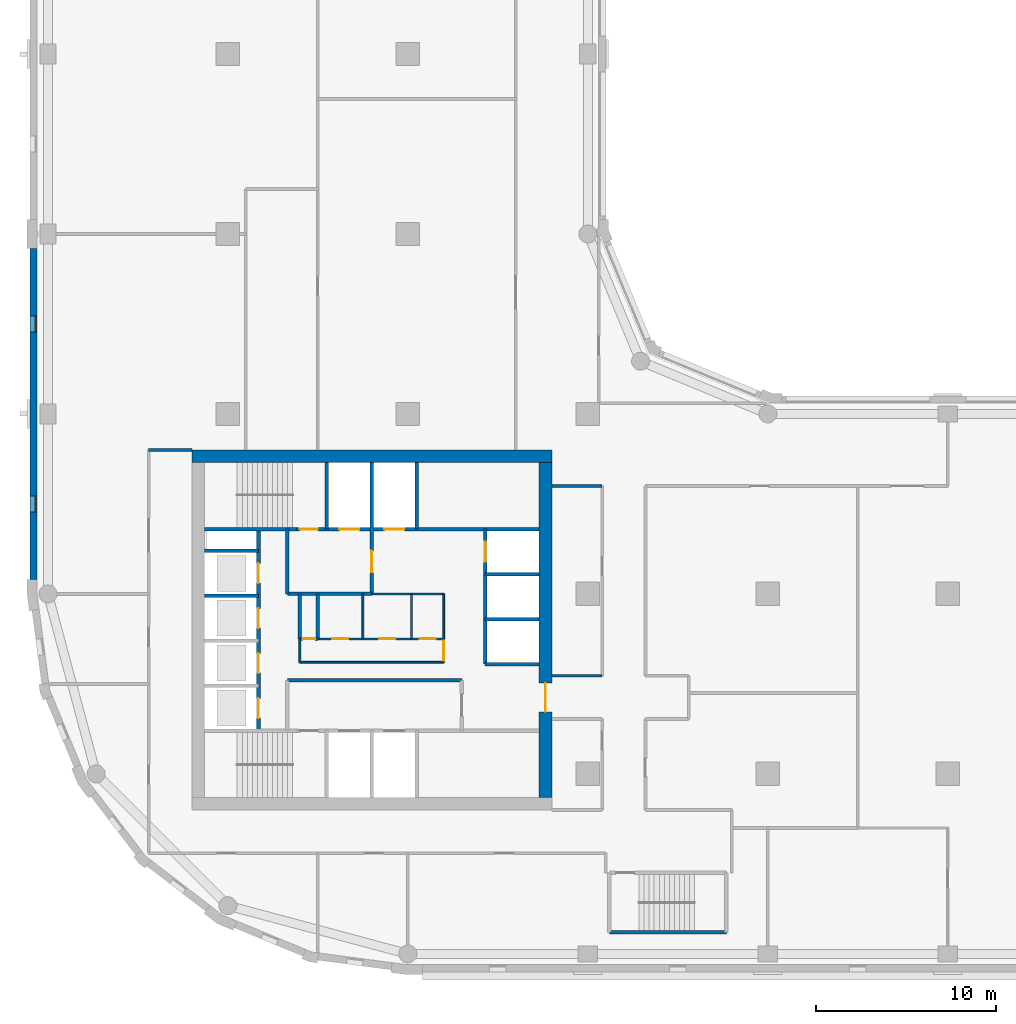
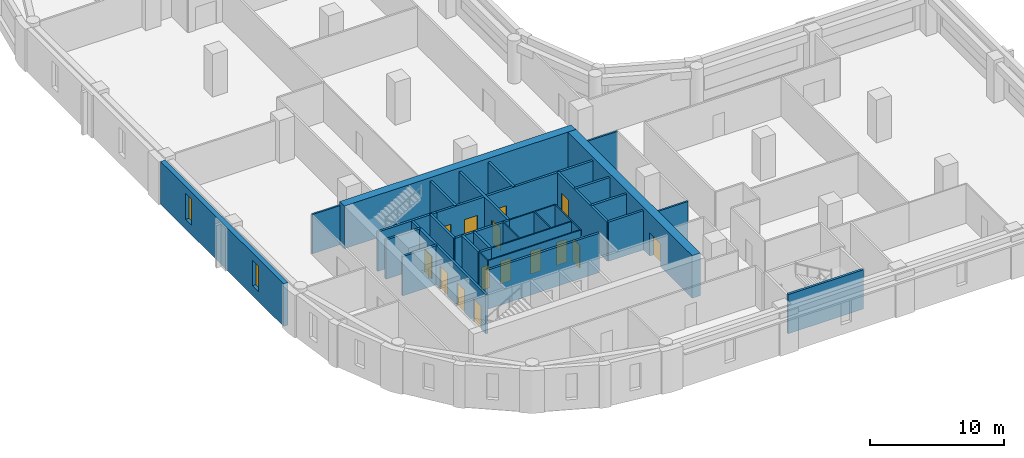
# One storey, part 3 of 9: 32 walls, 15 doors, 2 windows, 17 openings.
"""IFC4 building model written with IfcOpenShell, lengths in metres."""

from ifc_helpers import new_model, si_unit, direction, frame, frame_2d, origin, place, context, subcontext, project, spatial, rectangle, extrude, material, layer, layer_set, type_object, element, fill, save


model = new_model("IFC4")

# Units and contexts
model_context = context("Model", 3, precision=1e-05, world=origin(), true_north=direction((0.0, 1.0)))
body_context = subcontext(model_context, "Body", "Model", "MODEL_VIEW")
ifc_project = project(units=[si_unit("LENGTHUNIT", "METRE"), si_unit("AREAUNIT", "SQUARE_METRE"), si_unit("VOLUMEUNIT", "CUBIC_METRE"), si_unit("PLANEANGLEUNIT", "RADIAN"), si_unit("MASSUNIT", "GRAM", prefix="KILO")], contexts=[model_context])

# Site, building, storey
site_placement = place(None, origin())
site = spatial("IfcSite", under=ifc_project, at=site_placement, CompositionType="ELEMENT")
building_placement = place(site_placement, origin())
building = spatial("IfcBuilding", under=site, at=building_placement, Name="Qaws Garden Tower", CompositionType="ELEMENT")
storey_placement = place(building_placement, frame((0.0, 0.0, 135.60009765625)))
storey = spatial("IfcBuildingStorey", under=building, at=storey_placement, Name="L32", CompositionType="ELEMENT", Elevation=135.60009765625)

# Wall, openings, windows
ifc_material_1 = material(Name="Clay facing brick masonry", Category="masonry")
ifc_layer_1 = layer(ifc_material_1, 0.39990234375)
ifc_layer_set_1 = layer_set([ifc_layer_1], Name="Clay facing brick masonry")
wall_type_1 = type_object("IfcWallType", Name="Brick infill wall 400", PredefinedType="SOLIDWALL", material=ifc_layer_set_1)
wall_1_placement = place(storey_placement, frame((-0.800048828125, 39.199951171875, 0.0), z_axis=(0.0, 0.0, 1.0), x_axis=(0.0, -1.0, 0.0)))
wall_1 = element("IfcWall", 1, at=wall_1_placement, inside=storey, type_object=wall_type_1, Name="E-L32-infill-23", PredefinedType="SOLIDWALL", context=body_context, shape_type="SweptSolid", body=[
    extrude(rectangle(XDim=18.39990234375, YDim=0.39990234375, at=frame_2d((9.199951171875, 0.0))), origin(), (0.0, 0.0, 1.0), 3.89990234375),
])
opening_1_placement = place(wall_1_placement, frame((3.75, 0.0, 0.89990234375)))
opening_1 = element("IfcOpeningElement", 2, at=opening_1_placement, cuts=wall_1, Name="Opening W09", PredefinedType="OPENING", context=body_context, shape_type="SweptSolid", body=[
    extrude(rectangle(XDim=0.89990234375, YDim=2.35009765625, at=frame_2d((0.449951171875, 1.175048828125))), frame((0.0, 0.2099609375, 0.0), z_axis=(0.0, -1.0, 0.0), x_axis=(1.0, 0.0, 0.0)), (0.0, 0.0, 1.0), 0.419921875),
])
opening_2_placement = place(wall_1_placement, frame((13.75, 0.0, 0.89990234375)))
opening_2 = element("IfcOpeningElement", 3, at=opening_2_placement, cuts=wall_1, Name="Opening W09", PredefinedType="OPENING", context=body_context, shape_type="SweptSolid", body=[
    extrude(rectangle(XDim=0.89990234375, YDim=2.35009765625, at=frame_2d((0.449951171875, 1.175048828125))), frame((0.0, 0.2099609375, 0.0), z_axis=(0.0, -1.0, 0.0), x_axis=(1.0, 0.0, 0.0)), (0.0, 0.0, 1.0), 0.419921875),
])
ifc_material_2 = material(Name="Aluminium framed window, clear glazing", Category="aluminium")
window_type = type_object("IfcWindowType", Name="Slit window 900 x 2350", PartitioningType="SINGLE_PANEL", PredefinedType="WINDOW", material=ifc_material_2)
window_1_placement = place(opening_1_placement, origin())
window_1 = element("IfcWindow", 4, at=window_1_placement, inside=storey, type_object=window_type, Name="E-L32-window-23-0", OverallHeight=2.35009765625, OverallWidth=0.89990234375, PartitioningType="SINGLE_PANEL", PredefinedType="WINDOW", context=body_context, shape_type="SweptSolid", body=[
    extrude(rectangle(XDim=0.89990234375, YDim=2.35009765625, at=frame_2d((0.449951171875, 1.175048828125))), frame((0.0, 0.159912109375, 0.0), z_axis=(0.0, -1.0, 0.0), x_axis=(1.0, 0.0, 0.0)), (0.0, 0.0, 1.0), 0.06005859375),
])
fill(opening_1, window_1)
window_2_placement = place(opening_2_placement, origin())
window_2 = element("IfcWindow", 5, at=window_2_placement, inside=storey, type_object=window_type, Name="E-L32-window-24-0", OverallHeight=2.35009765625, OverallWidth=0.89990234375, PartitioningType="SINGLE_PANEL", PredefinedType="WINDOW", context=body_context, shape_type="SweptSolid", body=[
    extrude(rectangle(XDim=0.89990234375, YDim=2.35009765625, at=frame_2d((0.449951171875, 1.175048828125))), frame((0.0, 0.159912109375, 0.0), z_axis=(0.0, -1.0, 0.0), x_axis=(1.0, 0.0, 0.0)), (0.0, 0.0, 1.0), 0.06005859375),
])
fill(opening_2, window_2)

# Wall
ifc_material_3 = material(Name="Plasterboard")
ifc_layer_2 = layer(ifc_material_3, 0.10009765625)
ifc_layer_set_2 = layer_set([ifc_layer_2], Name="Plasterboard")
wall_type_2 = type_object("IfcWallType", Name="Core partition 100", PredefinedType="PARTITIONING", material=ifc_layer_set_2)
wall_2_placement = place(storey_placement, frame((14.0, 16.199951171875, 0.0), z_axis=(0.0, 0.0, 1.0), x_axis=(1.0, 0.0, 0.0)))
element("IfcWall", 6, at=wall_2_placement, inside=storey, type_object=wall_type_2, Name="Core partition", PredefinedType="PARTITIONING", context=body_context, shape_type="SweptSolid", body=[
    extrude(rectangle(XDim=8.0, YDim=0.10009765625, at=frame_2d((4.0, 0.0))), origin(), (0.0, 0.0, 1.0), 3.579833984375),
])

# Wall, openings, doors
wall_3_placement = place(storey_placement, frame((15.0, 17.5, 0.0), z_axis=(0.0, 0.0, 1.0), x_axis=(1.0, 0.0, 0.0)))
wall_3 = element("IfcWall", 7, at=wall_3_placement, inside=storey, type_object=wall_type_2, Name="Core partition", PredefinedType="PARTITIONING", context=body_context, shape_type="SweptSolid", body=[
    extrude(rectangle(XDim=7.0, YDim=0.10009765625, at=frame_2d((3.5, 0.0))), origin(), (0.0, 0.0, 1.0), 3.579833984375),
])
opening_3_placement = place(wall_3_placement, frame((0.800048828125, 0.0, 0.0)))
opening_3 = element("IfcOpeningElement", 8, at=opening_3_placement, cuts=wall_3, Name="Opening WD19", PredefinedType="OPENING", context=body_context, shape_type="SweptSolid", body=[
    extrude(rectangle(XDim=0.89990234375, YDim=2.10009765625, at=frame_2d((0.449951171875, 1.050048828125))), frame((0.0, 0.06005859375, 0.0), z_axis=(0.0, -1.0, 0.0), x_axis=(1.0, 0.0, 0.0)), (0.0, 0.0, 1.0), 0.1201171875),
])
opening_4_placement = place(wall_3_placement, frame((3.39990234375, 0.0, 0.0)))
opening_4 = element("IfcOpeningElement", 9, at=opening_4_placement, cuts=wall_3, Name="Opening WD20", PredefinedType="OPENING", context=body_context, shape_type="SweptSolid", body=[
    extrude(rectangle(XDim=0.89990234375, YDim=2.10009765625, at=frame_2d((0.449951171875, 1.050048828125))), frame((0.0, 0.06005859375, 0.0), z_axis=(0.0, -1.0, 0.0), x_axis=(1.0, 0.0, 0.0)), (0.0, 0.0, 1.0), 0.1201171875),
])
opening_5_placement = place(wall_3_placement, frame((5.64990234375, 0.0, 0.0)))
opening_5 = element("IfcOpeningElement", 10, at=opening_5_placement, cuts=wall_3, Name="Opening WD21", PredefinedType="OPENING", context=body_context, shape_type="SweptSolid", body=[
    extrude(rectangle(XDim=0.89990234375, YDim=2.10009765625, at=frame_2d((0.449951171875, 1.050048828125))), frame((0.0, 0.06005859375, 0.0), z_axis=(0.0, -1.0, 0.0), x_axis=(1.0, 0.0, 0.0)), (0.0, 0.0, 1.0), 0.1201171875),
])
ifc_material_4 = material(Name="Timber", Category="wood")
door_type_1 = type_object("IfcDoorType", Name="WC door 900x2100", OperationType="SINGLE_SWING_LEFT", PredefinedType="DOOR", material=ifc_material_4)
door_1_placement = place(opening_3_placement, origin())
door_1 = element("IfcDoor", 11, at=door_1_placement, inside=storey, type_object=door_type_1, Name="Men's WC door", OperationType="SINGLE_SWING_RIGHT", OverallHeight=2.10009765625, OverallWidth=0.89990234375, PredefinedType="DOOR", context=body_context, shape_type="SweptSolid", body=[
    extrude(rectangle(XDim=0.89990234375, YDim=2.10009765625, at=frame_2d((0.449951171875, 1.050048828125))), frame((0.0, 0.02490234375, 0.0), z_axis=(0.0, -1.0, 0.0), x_axis=(1.0, 0.0, 0.0)), (0.0, 0.0, 1.0), 0.050048828125),
])
fill(opening_3, door_1)
door_2_placement = place(opening_4_placement, origin())
door_2 = element("IfcDoor", 12, at=door_2_placement, inside=storey, type_object=door_type_1, Name="Women's WC door", OperationType="SINGLE_SWING_RIGHT", OverallHeight=2.10009765625, OverallWidth=0.89990234375, PredefinedType="DOOR", context=body_context, shape_type="SweptSolid", body=[
    extrude(rectangle(XDim=0.89990234375, YDim=2.10009765625, at=frame_2d((0.449951171875, 1.050048828125))), frame((0.0, 0.02490234375, 0.0), z_axis=(0.0, -1.0, 0.0), x_axis=(1.0, 0.0, 0.0)), (0.0, 0.0, 1.0), 0.050048828125),
])
fill(opening_4, door_2)
door_3_placement = place(opening_5_placement, origin())
door_3 = element("IfcDoor", 13, at=door_3_placement, inside=storey, type_object=door_type_1, Name="Accessible WC door", OperationType="SINGLE_SWING_RIGHT", OverallHeight=2.10009765625, OverallWidth=0.89990234375, PredefinedType="DOOR", context=body_context, shape_type="SweptSolid", body=[
    extrude(rectangle(XDim=0.89990234375, YDim=2.10009765625, at=frame_2d((0.449951171875, 1.050048828125))), frame((0.0, 0.02490234375, 0.0), z_axis=(0.0, -1.0, 0.0), x_axis=(1.0, 0.0, 0.0)), (0.0, 0.0, 1.0), 0.050048828125),
])
fill(opening_5, door_3)

# Walls
wall_4_placement = place(storey_placement, frame((18.0, 20.0, 0.0), z_axis=(0.0, 0.0, 1.0), x_axis=(1.0, 0.0, 0.0)))
element("IfcWall", 14, at=wall_4_placement, inside=storey, type_object=wall_type_2, Name="Core partition", PredefinedType="PARTITIONING", context=body_context, shape_type="SweptSolid", body=[
    extrude(rectangle(XDim=4.0, YDim=0.10009765625, at=frame_2d((2.0, 0.0))), origin(), (0.0, 0.0, 1.0), 3.579833984375),
])
wall_5_placement = place(storey_placement, frame((14.0, 16.199951171875, 0.0), z_axis=(0.0, 0.0, 1.0), x_axis=(0.0, 1.0, 0.0)))
element("IfcWall", 15, at=wall_5_placement, inside=storey, type_object=wall_type_2, Name="Core partition", PredefinedType="PARTITIONING", context=body_context, shape_type="SweptSolid", body=[
    extrude(rectangle(XDim=1.300048828125, YDim=0.10009765625, at=frame_2d((0.64990234375, 0.0))), origin(), (0.0, 0.0, 1.0), 3.579833984375),
])
for number, where, z_axis, x_axis, name in (
    (16, (17.5, 17.5, 0.0), (0.0, 0.0, 1.0), (0.0, 1.0, 0.0), "Core partition"),
    (17, (20.199951171875, 17.5, 0.0), (0.0, 0.0, 1.0), (0.0, 1.0, 0.0), "Core partition"),
):
    element("IfcWall", number, at=place(storey_placement, frame(where, z_axis=z_axis, x_axis=x_axis)), inside=storey, type_object=wall_type_2, Name=name, PredefinedType="PARTITIONING", context=body_context, shape_type="SweptSolid", body=[
        extrude(rectangle(XDim=2.5, YDim=0.10009765625, at=frame_2d((1.25, 0.0))), origin(), (0.0, 0.0, 1.0), 3.579833984375),
    ])

# Wall, opening, door
wall_6_placement = place(storey_placement, frame((22.0, 16.199951171875, 0.0), z_axis=(0.0, 0.0, 1.0), x_axis=(0.0, 1.0, 0.0)))
wall_6 = element("IfcWall", 18, at=wall_6_placement, inside=storey, type_object=wall_type_2, Name="Core partition", PredefinedType="PARTITIONING", context=body_context, shape_type="SweptSolid", body=[
    extrude(rectangle(XDim=3.800048828125, YDim=0.10009765625, at=frame_2d((1.89990234375, 0.0))), origin(), (0.0, 0.0, 1.0), 3.579833984375),
])
opening_6_placement = place(wall_6_placement, frame((0.10009765625, 0.0, 0.0)))
opening_6 = element("IfcOpeningElement", 19, at=opening_6_placement, cuts=wall_6, Name="Opening WL17", PredefinedType="OPENING", context=body_context, shape_type="SweptSolid", body=[
    extrude(rectangle(XDim=1.10009765625, YDim=2.10009765625, at=frame_2d((0.550048828125, 1.050048828125))), frame((0.0, 0.06005859375, 0.0), z_axis=(0.0, -1.0, 0.0), x_axis=(1.0, 0.0, 0.0)), (0.0, 0.0, 1.0), 0.1201171875),
])
ifc_material_5 = material(Name="Timber", Category="wood")
door_type_2 = type_object("IfcDoorType", Name="WC lobby door 1100x2100", OperationType="SINGLE_SWING_LEFT", PredefinedType="DOOR", material=ifc_material_5)
door_4_placement = place(opening_6_placement, origin())
door_4 = element("IfcDoor", 20, at=door_4_placement, inside=storey, type_object=door_type_2, Name="WC lobby door", OperationType="SINGLE_SWING_RIGHT", OverallHeight=2.10009765625, OverallWidth=1.10009765625, PredefinedType="DOOR", context=body_context, shape_type="SweptSolid", body=[
    extrude(rectangle(XDim=1.10009765625, YDim=2.10009765625, at=frame_2d((0.550048828125, 1.050048828125))), frame((0.0, 0.02490234375, 0.0), z_axis=(0.0, -1.0, 0.0), x_axis=(1.0, 0.0, 0.0)), (0.0, 0.0, 1.0), 0.050048828125),
])
fill(opening_6, door_4)

# Walls
ifc_material_6 = material(Name="Concrete C70", Category="concrete")
ifc_layer_3 = layer(ifc_material_6, 0.199951171875)
ifc_layer_set_3 = layer_set([ifc_layer_3], Name="Concrete C70")
wall_type_3 = type_object("IfcWallType", Name="Core shaft wall 200 C70", PredefinedType="SHEAR", material=ifc_layer_set_3)
wall_7_placement = place(storey_placement, frame((31.199951171875, 1.199951171875, 0.0), z_axis=(0.0, 0.0, 1.0), x_axis=(1.0, 0.0, 0.0)))
element("IfcWall", 21, at=wall_7_placement, inside=storey, type_object=wall_type_3, Name="Shaft wall", PredefinedType="SHEAR", context=body_context, shape_type="SweptSolid", body=[
    extrude(rectangle(XDim=6.5, YDim=0.199951171875, at=frame_2d((3.25, 0.0))), origin(), (0.0, 0.0, 1.0), 3.579833984375),
])
wall_8_placement = place(storey_placement, frame((13.300048828125, 15.199951171875, 0.0), z_axis=(0.0, 0.0, 1.0), x_axis=(1.0, 0.0, 0.0)))
element("IfcWall", 22, at=wall_8_placement, inside=storey, type_object=wall_type_3, Name="Shaft wall", PredefinedType="SHEAR", context=body_context, shape_type="SweptSolid", body=[
    extrude(rectangle(XDim=9.699951171875, YDim=0.199951171875, at=frame_2d((4.85009765625, 0.0))), origin(), (0.0, 0.0, 1.0), 3.579833984375),
])
wall_9_placement = place(storey_placement, frame((24.300048828125, 16.10009765625, 0.0), z_axis=(0.0, 0.0, 1.0), x_axis=(1.0, 0.0, 0.0)))
element("IfcWall", 23, at=wall_9_placement, inside=storey, type_object=wall_type_3, Name="Shaft wall", PredefinedType="SHEAR", context=body_context, shape_type="SweptSolid", body=[
    extrude(rectangle(XDim=3.0, YDim=0.199951171875, at=frame_2d((1.5, 0.0))), origin(), (0.0, 0.0, 1.0), 3.579833984375),
])

# Wall, opening, door
wall_10_placement = place(storey_placement, frame((14.0, 17.5, 0.0), z_axis=(0.0, 0.0, 1.0), x_axis=(1.0, 0.0, 0.0)))
wall_10 = element("IfcWall", 24, at=wall_10_placement, inside=storey, type_object=wall_type_3, Name="Shaft wall", PredefinedType="SHEAR", context=body_context, shape_type="SweptSolid", body=[
    extrude(rectangle(XDim=1.0, YDim=0.199951171875, at=frame_2d((0.5, 0.0))), origin(), (0.0, 0.0, 1.0), 3.579833984375),
])
opening_7_placement = place(wall_10_placement, frame((0.14990234375, 0.0, 0.0)))
opening_7 = element("IfcOpeningElement", 25, at=opening_7_placement, cuts=wall_10, Name="Opening XD18", PredefinedType="OPENING", context=body_context, shape_type="SweptSolid", body=[
    extrude(rectangle(XDim=0.699951171875, YDim=2.10009765625, at=frame_2d((0.35009765625, 1.050048828125))), frame((0.0, 0.10986328125, 0.0), z_axis=(0.0, -1.0, 0.0), x_axis=(1.0, 0.0, 0.0)), (0.0, 0.0, 1.0), 0.219970703125),
])
ifc_material_7 = material(Name="Timber", Category="wood")
door_type_3 = type_object("IfcDoorType", Name="Store door 700x2100", OperationType="SINGLE_SWING_LEFT", PredefinedType="DOOR", material=ifc_material_7)
door_5_placement = place(opening_7_placement, origin())
door_5 = element("IfcDoor", 26, at=door_5_placement, inside=storey, type_object=door_type_3, Name="Telecom riser door", OperationType="SINGLE_SWING_RIGHT", OverallHeight=2.10009765625, OverallWidth=0.699951171875, PredefinedType="DOOR", context=body_context, shape_type="SweptSolid", body=[
    extrude(rectangle(XDim=0.699951171875, YDim=2.10009765625, at=frame_2d((0.35009765625, 1.050048828125))), frame((0.0, 0.02490234375, 0.0), z_axis=(0.0, -1.0, 0.0), x_axis=(1.0, 0.0, 0.0)), (0.0, 0.0, 1.0), 0.050048828125),
])
fill(opening_7, door_5)

# Walls
for number, where, z_axis, x_axis, name in (
    (27, (24.300048828125, 18.60009765625, 0.0), (0.0, 0.0, 1.0), (1.0, 0.0, 0.0), "Shaft wall"),
    (28, (8.699951171875, 19.89990234375, 0.0), (0.0, 0.0, 1.0), (1.0, 0.0, 0.0), "Shaft wall"),
):
    element("IfcWall", number, at=place(storey_placement, frame(where, z_axis=z_axis, x_axis=x_axis)), inside=storey, type_object=wall_type_3, Name=name, PredefinedType="SHEAR", context=body_context, shape_type="SweptSolid", body=[
        extrude(rectangle(XDim=3.0, YDim=0.199951171875, at=frame_2d((1.5, 0.0))), origin(), (0.0, 0.0, 1.0), 3.579833984375),
    ])
wall_11_placement = place(storey_placement, frame((13.300048828125, 20.0, 0.0), z_axis=(0.0, 0.0, 1.0), x_axis=(1.0, 0.0, 0.0)))
element("IfcWall", 29, at=wall_11_placement, inside=storey, type_object=wall_type_3, Name="Shaft wall", PredefinedType="SHEAR", context=body_context, shape_type="SweptSolid", body=[
    extrude(rectangle(XDim=4.699951171875, YDim=0.199951171875, at=frame_2d((2.35009765625, 0.0))), origin(), (0.0, 0.0, 1.0), 3.579833984375),
])
for number, where, z_axis, x_axis, name in (
    (30, (24.300048828125, 21.10009765625, 0.0), (0.0, 0.0, 1.0), (1.0, 0.0, 0.0), "Shaft wall"),
    (31, (8.699951171875, 22.39990234375, 0.0), (0.0, 0.0, 1.0), (1.0, 0.0, 0.0), "Shaft wall"),
):
    element("IfcWall", number, at=place(storey_placement, frame(where, z_axis=z_axis, x_axis=x_axis)), inside=storey, type_object=wall_type_3, Name=name, PredefinedType="SHEAR", context=body_context, shape_type="SweptSolid", body=[
        extrude(rectangle(XDim=3.0, YDim=0.199951171875, at=frame_2d((1.5, 0.0))), origin(), (0.0, 0.0, 1.0), 3.579833984375),
    ])
wall_12_placement = place(storey_placement, frame((8.699951171875, 23.60009765625, 0.0), z_axis=(0.0, 0.0, 1.0), x_axis=(1.0, 0.0, 0.0)))
element("IfcWall", 32, at=wall_12_placement, inside=storey, type_object=wall_type_3, Name="Shaft wall", PredefinedType="SHEAR", context=body_context, shape_type="SweptSolid", body=[
    extrude(rectangle(XDim=5.10009765625, YDim=0.199951171875, at=frame_2d((2.550048828125, 0.0))), origin(), (0.0, 0.0, 1.0), 3.579833984375),
])

# Wall, openings, doors
wall_13_placement = place(storey_placement, frame((13.800048828125, 23.60009765625, 0.0), z_axis=(0.0, 0.0, 1.0), x_axis=(1.0, 0.0, 0.0)))
wall_13 = element("IfcWall", 33, at=wall_13_placement, inside=storey, type_object=wall_type_3, Name="Shaft wall", PredefinedType="SHEAR", context=body_context, shape_type="SweptSolid", body=[
    extrude(rectangle(XDim=13.5, YDim=0.199951171875, at=frame_2d((6.75, 0.0))), origin(), (0.0, 0.0, 1.0), 3.579833984375),
])
opening_8_placement = place(wall_13_placement, frame((2.39990234375, 0.0, 0.0)))
opening_8 = element("IfcOpeningElement", 34, at=opening_8_placement, cuts=wall_13, Name="Opening LD08", PredefinedType="OPENING", context=body_context, shape_type="SweptSolid", body=[
    extrude(rectangle(XDim=1.10009765625, YDim=2.10009765625, at=frame_2d((0.550048828125, 1.050048828125))), frame((0.0, 0.10986328125, 0.0), z_axis=(0.0, -1.0, 0.0), x_axis=(1.0, 0.0, 0.0)), (0.0, 0.0, 1.0), 0.219970703125),
])
opening_9_placement = place(wall_13_placement, frame((4.89990234375, 0.0, 0.0)))
opening_9 = element("IfcOpeningElement", 35, at=opening_9_placement, cuts=wall_13, Name="Opening LD09", PredefinedType="OPENING", context=body_context, shape_type="SweptSolid", body=[
    extrude(rectangle(XDim=1.10009765625, YDim=2.10009765625, at=frame_2d((0.550048828125, 1.050048828125))), frame((0.0, 0.10986328125, 0.0), z_axis=(0.0, -1.0, 0.0), x_axis=(1.0, 0.0, 0.0)), (0.0, 0.0, 1.0), 0.219970703125),
])
opening_10_placement = place(wall_13_placement, frame((0.199951171875, 0.0, 0.0)))
opening_10 = element("IfcOpeningElement", 36, at=opening_10_placement, cuts=wall_13, Name="Opening SD11", PredefinedType="OPENING", context=body_context, shape_type="SweptSolid", body=[
    extrude(rectangle(XDim=1.0, YDim=2.10009765625, at=frame_2d((0.5, 1.050048828125))), frame((0.0, 0.10986328125, 0.0), z_axis=(0.0, -1.0, 0.0), x_axis=(1.0, 0.0, 0.0)), (0.0, 0.0, 1.0), 0.219970703125),
])
ifc_material_8 = material(Name="Steel S235", Category="steel")
door_type_4 = type_object("IfcDoorType", Name="Landing door 1100x2100", OperationType="DOUBLE_DOOR_SLIDING", PredefinedType="DOOR", material=ifc_material_8)
door_6_placement = place(opening_8_placement, origin())
door_6 = element("IfcDoor", 37, at=door_6_placement, inside=storey, type_object=door_type_4, Name="Lift FF3 landing door", OperationType="DOUBLE_DOOR_SLIDING", OverallHeight=2.10009765625, OverallWidth=1.10009765625, PredefinedType="DOOR", context=body_context, shape_type="SweptSolid", body=[
    extrude(rectangle(XDim=1.10009765625, YDim=2.10009765625, at=frame_2d((0.550048828125, 1.050048828125))), frame((0.0, 0.02490234375, 0.0), z_axis=(0.0, -1.0, 0.0), x_axis=(1.0, 0.0, 0.0)), (0.0, 0.0, 1.0), 0.050048828125),
])
fill(opening_8, door_6)
door_7_placement = place(opening_9_placement, origin())
door_7 = element("IfcDoor", 38, at=door_7_placement, inside=storey, type_object=door_type_4, Name="Lift SV2 landing door", OperationType="DOUBLE_DOOR_SLIDING", OverallHeight=2.10009765625, OverallWidth=1.10009765625, PredefinedType="DOOR", context=body_context, shape_type="SweptSolid", body=[
    extrude(rectangle(XDim=1.10009765625, YDim=2.10009765625, at=frame_2d((0.550048828125, 1.050048828125))), frame((0.0, 0.02490234375, 0.0), z_axis=(0.0, -1.0, 0.0), x_axis=(1.0, 0.0, 0.0)), (0.0, 0.0, 1.0), 0.050048828125),
])
fill(opening_9, door_7)
ifc_material_9 = material(Name="Steel S235", Category="steel")
door_type_5 = type_object("IfcDoorType", Name="Stair door 1000x2100", OperationType="SINGLE_SWING_RIGHT", PredefinedType="DOOR", material=ifc_material_9)
door_8_placement = place(opening_10_placement, origin())
door_8 = element("IfcDoor", 39, at=door_8_placement, inside=storey, type_object=door_type_5, Name="Stair 4 door", OperationType="SINGLE_SWING_RIGHT", OverallHeight=2.10009765625, OverallWidth=1.0, PredefinedType="DOOR", context=body_context, shape_type="SweptSolid", body=[
    extrude(rectangle(XDim=1.0, YDim=2.10009765625, at=frame_2d((0.5, 1.050048828125))), frame((0.0, 0.02490234375, 0.0), z_axis=(0.0, -1.0, 0.0), x_axis=(1.0, 0.0, 0.0)), (0.0, 0.0, 1.0), 0.050048828125),
])
fill(opening_10, door_8)

wall_14_placement = place(storey_placement, frame((11.699951171875, 12.39990234375, 0.0), z_axis=(0.0, 0.0, 1.0), x_axis=(0.0, 1.0, 0.0)))
wall_14 = element("IfcWall", 40, at=wall_14_placement, inside=storey, type_object=wall_type_3, Name="Shaft wall", PredefinedType="SHEAR", context=body_context, shape_type="SweptSolid", body=[
    extrude(rectangle(XDim=11.2001953125, YDim=0.199951171875, at=frame_2d((5.60009765625, 0.0))), origin(), (0.0, 0.0, 1.0), 3.579833984375),
])
opening_11_placement = place(wall_14_placement, frame((0.699951171875, 0.0, 0.0)))
opening_11 = element("IfcOpeningElement", 41, at=opening_11_placement, cuts=wall_14, Name="Opening LD01", PredefinedType="OPENING", context=body_context, shape_type="SweptSolid", body=[
    extrude(rectangle(XDim=1.10009765625, YDim=2.10009765625, at=frame_2d((0.550048828125, 1.050048828125))), frame((0.0, 0.10986328125, 0.0), z_axis=(0.0, -1.0, 0.0), x_axis=(1.0, 0.0, 0.0)), (0.0, 0.0, 1.0), 0.219970703125),
])
opening_12_placement = place(wall_14_placement, frame((3.199951171875, 0.0, 0.0)))
opening_12 = element("IfcOpeningElement", 42, at=opening_12_placement, cuts=wall_14, Name="Opening LD02", PredefinedType="OPENING", context=body_context, shape_type="SweptSolid", body=[
    extrude(rectangle(XDim=1.10009765625, YDim=2.10009765625, at=frame_2d((0.550048828125, 1.050048828125))), frame((0.0, 0.10986328125, 0.0), z_axis=(0.0, -1.0, 0.0), x_axis=(1.0, 0.0, 0.0)), (0.0, 0.0, 1.0), 0.219970703125),
])
opening_13_placement = place(wall_14_placement, frame((5.699951171875, 0.0, 0.0)))
opening_13 = element("IfcOpeningElement", 43, at=opening_13_placement, cuts=wall_14, Name="Opening LD03", PredefinedType="OPENING", context=body_context, shape_type="SweptSolid", body=[
    extrude(rectangle(XDim=1.10009765625, YDim=2.10009765625, at=frame_2d((0.550048828125, 1.050048828125))), frame((0.0, 0.10986328125, 0.0), z_axis=(0.0, -1.0, 0.0), x_axis=(1.0, 0.0, 0.0)), (0.0, 0.0, 1.0), 0.219970703125),
])
opening_14_placement = place(wall_14_placement, frame((8.199951171875, 0.0, 0.0)))
opening_14 = element("IfcOpeningElement", 44, at=opening_14_placement, cuts=wall_14, Name="Opening LD04", PredefinedType="OPENING", context=body_context, shape_type="SweptSolid", body=[
    extrude(rectangle(XDim=1.10009765625, YDim=2.10009765625, at=frame_2d((0.550048828125, 1.050048828125))), frame((0.0, 0.10986328125, 0.0), z_axis=(0.0, -1.0, 0.0), x_axis=(1.0, 0.0, 0.0)), (0.0, 0.0, 1.0), 0.219970703125),
])
door_9_placement = place(opening_11_placement, origin())
door_9 = element("IfcDoor", 45, at=door_9_placement, inside=storey, type_object=door_type_4, Name="Lift W1 landing door", OperationType="DOUBLE_DOOR_SLIDING", OverallHeight=2.10009765625, OverallWidth=1.10009765625, PredefinedType="DOOR", context=body_context, shape_type="SweptSolid", body=[
    extrude(rectangle(XDim=1.10009765625, YDim=2.10009765625, at=frame_2d((0.550048828125, 1.050048828125))), frame((0.0, 0.02490234375, 0.0), z_axis=(0.0, -1.0, 0.0), x_axis=(1.0, 0.0, 0.0)), (0.0, 0.0, 1.0), 0.050048828125),
])
fill(opening_11, door_9)
door_10_placement = place(opening_12_placement, origin())
door_10 = element("IfcDoor", 46, at=door_10_placement, inside=storey, type_object=door_type_4, Name="Lift W2 landing door", OperationType="DOUBLE_DOOR_SLIDING", OverallHeight=2.10009765625, OverallWidth=1.10009765625, PredefinedType="DOOR", context=body_context, shape_type="SweptSolid", body=[
    extrude(rectangle(XDim=1.10009765625, YDim=2.10009765625, at=frame_2d((0.550048828125, 1.050048828125))), frame((0.0, 0.02490234375, 0.0), z_axis=(0.0, -1.0, 0.0), x_axis=(1.0, 0.0, 0.0)), (0.0, 0.0, 1.0), 0.050048828125),
])
fill(opening_12, door_10)
door_11_placement = place(opening_13_placement, origin())
door_11 = element("IfcDoor", 47, at=door_11_placement, inside=storey, type_object=door_type_4, Name="Lift W3 landing door", OperationType="DOUBLE_DOOR_SLIDING", OverallHeight=2.10009765625, OverallWidth=1.10009765625, PredefinedType="DOOR", context=body_context, shape_type="SweptSolid", body=[
    extrude(rectangle(XDim=1.10009765625, YDim=2.10009765625, at=frame_2d((0.550048828125, 1.050048828125))), frame((0.0, 0.02490234375, 0.0), z_axis=(0.0, -1.0, 0.0), x_axis=(1.0, 0.0, 0.0)), (0.0, 0.0, 1.0), 0.050048828125),
])
fill(opening_13, door_11)
door_12_placement = place(opening_14_placement, origin())
door_12 = element("IfcDoor", 48, at=door_12_placement, inside=storey, type_object=door_type_4, Name="Lift W4 landing door", OperationType="DOUBLE_DOOR_SLIDING", OverallHeight=2.10009765625, OverallWidth=1.10009765625, PredefinedType="DOOR", context=body_context, shape_type="SweptSolid", body=[
    extrude(rectangle(XDim=1.10009765625, YDim=2.10009765625, at=frame_2d((0.550048828125, 1.050048828125))), frame((0.0, 0.02490234375, 0.0), z_axis=(0.0, -1.0, 0.0), x_axis=(1.0, 0.0, 0.0)), (0.0, 0.0, 1.0), 0.050048828125),
])
fill(opening_14, door_12)

# Walls
wall_15_placement = place(storey_placement, frame((13.300048828125, 20.0, 0.0), z_axis=(0.0, 0.0, 1.0), x_axis=(0.0, 1.0, 0.0)))
element("IfcWall", 49, at=wall_15_placement, inside=storey, type_object=wall_type_3, Name="Shaft wall", PredefinedType="SHEAR", context=body_context, shape_type="SweptSolid", body=[
    extrude(rectangle(XDim=3.60009765625, YDim=0.199951171875, at=frame_2d((1.800048828125, 0.0))), origin(), (0.0, 0.0, 1.0), 3.579833984375),
])
for number, where, z_axis, x_axis, name in (
    (50, (14.0, 17.5, 0.0), (0.0, 0.0, 1.0), (0.0, 1.0, 0.0), "Shaft wall"),
    (51, (15.0, 17.5, 0.0), (0.0, 0.0, 1.0), (0.0, 1.0, 0.0), "Shaft wall"),
):
    element("IfcWall", number, at=place(storey_placement, frame(where, z_axis=z_axis, x_axis=x_axis)), inside=storey, type_object=wall_type_3, Name=name, PredefinedType="SHEAR", context=body_context, shape_type="SweptSolid", body=[
        extrude(rectangle(XDim=2.5, YDim=0.199951171875, at=frame_2d((1.25, 0.0))), origin(), (0.0, 0.0, 1.0), 3.579833984375),
    ])
wall_16_placement = place(storey_placement, frame((15.5, 23.60009765625, 0.0), z_axis=(0.0, 0.0, 1.0), x_axis=(0.0, 1.0, 0.0)))
element("IfcWall", 52, at=wall_16_placement, inside=storey, type_object=wall_type_3, Name="Shaft wall", PredefinedType="SHEAR", context=body_context, shape_type="SweptSolid", body=[
    extrude(rectangle(XDim=3.699951171875, YDim=0.199951171875, at=frame_2d((1.85009765625, 0.0))), origin(), (0.0, 0.0, 1.0), 3.579833984375),
])

# Wall, opening, door
wall_17_placement = place(storey_placement, frame((18.0, 20.0, 0.0), z_axis=(0.0, 0.0, 1.0), x_axis=(0.0, 1.0, 0.0)))
wall_17 = element("IfcWall", 53, at=wall_17_placement, inside=storey, type_object=wall_type_3, Name="Shaft wall", PredefinedType="SHEAR", context=body_context, shape_type="SweptSolid", body=[
    extrude(rectangle(XDim=7.300048828125, YDim=0.199951171875, at=frame_2d((3.64990234375, 0.0))), origin(), (0.0, 0.0, 1.0), 3.579833984375),
])
opening_15_placement = place(wall_17_placement, frame((1.199951171875, 0.0, 0.0)))
opening_15 = element("IfcOpeningElement", 54, at=opening_15_placement, cuts=wall_17, Name="Opening FD16", PredefinedType="OPENING", context=body_context, shape_type="SweptSolid", body=[
    extrude(rectangle(XDim=1.199951171875, YDim=2.10009765625, at=frame_2d((0.60009765625, 1.050048828125))), frame((0.0, 0.10986328125, 0.0), z_axis=(0.0, -1.0, 0.0), x_axis=(1.0, 0.0, 0.0)), (0.0, 0.0, 1.0), 0.219970703125),
])
ifc_material_10 = material(Name="Steel S235", Category="steel")
door_type_6 = type_object("IfcDoorType", Name="Lobby door 1200x2100", OperationType="DOUBLE_DOOR_SINGLE_SWING", PredefinedType="DOOR", material=ifc_material_10)
door_13_placement = place(opening_15_placement, origin())
door_13 = element("IfcDoor", 55, at=door_13_placement, inside=storey, type_object=door_type_6, Name="Fire-fighting lobby door", OperationType="DOUBLE_DOOR_SINGLE_SWING", OverallHeight=2.10009765625, OverallWidth=1.199951171875, PredefinedType="DOOR", context=body_context, shape_type="SweptSolid", body=[
    extrude(rectangle(XDim=1.199951171875, YDim=2.10009765625, at=frame_2d((0.60009765625, 1.050048828125))), frame((0.0, 0.02490234375, 0.0), z_axis=(0.0, -1.0, 0.0), x_axis=(1.0, 0.0, 0.0)), (0.0, 0.0, 1.0), 0.050048828125),
])
fill(opening_15, door_13)

# Wall
wall_18_placement = place(storey_placement, frame((20.5, 23.60009765625, 0.0), z_axis=(0.0, 0.0, 1.0), x_axis=(0.0, 1.0, 0.0)))
element("IfcWall", 56, at=wall_18_placement, inside=storey, type_object=wall_type_3, Name="Shaft wall", PredefinedType="SHEAR", context=body_context, shape_type="SweptSolid", body=[
    extrude(rectangle(XDim=3.699951171875, YDim=0.199951171875, at=frame_2d((1.85009765625, 0.0))), origin(), (0.0, 0.0, 1.0), 3.579833984375),
])

# Wall, opening, door
wall_19_placement = place(storey_placement, frame((24.300048828125, 16.10009765625, 0.0), z_axis=(0.0, 0.0, 1.0), x_axis=(0.0, 1.0, 0.0)))
wall_19 = element("IfcWall", 57, at=wall_19_placement, inside=storey, type_object=wall_type_3, Name="Shaft wall", PredefinedType="SHEAR", context=body_context, shape_type="SweptSolid", body=[
    extrude(rectangle(XDim=7.5, YDim=0.199951171875, at=frame_2d((3.75, 0.0))), origin(), (0.0, 0.0, 1.0), 3.579833984375),
])
opening_16_placement = place(wall_19_placement, frame((5.699951171875, 0.0, 0.0)))
opening_16 = element("IfcOpeningElement", 58, at=opening_16_placement, cuts=wall_19, Name="Opening LD05", PredefinedType="OPENING", context=body_context, shape_type="SweptSolid", body=[
    extrude(rectangle(XDim=1.10009765625, YDim=2.10009765625, at=frame_2d((0.550048828125, 1.050048828125))), frame((0.0, 0.10986328125, 0.0), z_axis=(0.0, -1.0, 0.0), x_axis=(1.0, 0.0, 0.0)), (0.0, 0.0, 1.0), 0.219970703125),
])
door_14_placement = place(opening_16_placement, origin())
door_14 = element("IfcDoor", 59, at=door_14_placement, inside=storey, type_object=door_type_4, Name="Lift E3 landing door", OperationType="DOUBLE_DOOR_SLIDING", OverallHeight=2.10009765625, OverallWidth=1.10009765625, PredefinedType="DOOR", context=body_context, shape_type="SweptSolid", body=[
    extrude(rectangle(XDim=1.10009765625, YDim=2.10009765625, at=frame_2d((0.550048828125, 1.050048828125))), frame((0.0, 0.02490234375, 0.0), z_axis=(0.0, -1.0, 0.0), x_axis=(1.0, 0.0, 0.0)), (0.0, 0.0, 1.0), 0.050048828125),
])
fill(opening_16, door_14)

ifc_material_11 = material(Name="Concrete C70", Category="concrete")
ifc_layer_4 = layer(ifc_material_11, 0.699951171875)
ifc_layer_set_4 = layer_set([ifc_layer_4], Name="Concrete C70")
wall_type_4 = type_object("IfcWallType", Name="Core wall 700 C70", PredefinedType="SHEAR", material=ifc_layer_set_4)
wall_20_placement = place(storey_placement, frame((27.64990234375, 8.699951171875, 0.0), z_axis=(0.0, 0.0, 1.0), x_axis=(0.0, 1.0, 0.0)))
wall_20 = element("IfcWall", 60, at=wall_20_placement, inside=storey, type_object=wall_type_4, Name="Core wall L32 east", PredefinedType="SHEAR", context=body_context, shape_type="SweptSolid", body=[
    extrude(rectangle(XDim=18.60009765625, YDim=0.699951171875, at=frame_2d((9.300048828125, 0.0))), origin(), (0.0, 0.0, 1.0), 3.89990234375),
])
opening_17_placement = place(wall_20_placement, frame((4.75, 0.0, 0.0)))
opening_17 = element("IfcOpeningElement", 61, at=opening_17_placement, cuts=wall_20, Name="Opening ED22", PredefinedType="OPENING", context=body_context, shape_type="SweptSolid", body=[
    extrude(rectangle(XDim=1.60009765625, YDim=2.10009765625, at=frame_2d((0.800048828125, 1.050048828125))), frame((0.0, 0.35986328125, 0.0), z_axis=(0.0, -1.0, 0.0), x_axis=(1.0, 0.0, 0.0)), (0.0, 0.0, 1.0), 0.719970703125),
])
ifc_material_12 = material(Name="Steel S235", Category="steel")
door_type_7 = type_object("IfcDoorType", Name="Core entrance door 1600x2100", OperationType="DOUBLE_DOOR_SINGLE_SWING", PredefinedType="DOOR", material=ifc_material_12)
door_15_placement = place(opening_17_placement, origin())
door_15 = element("IfcDoor", 62, at=door_15_placement, inside=storey, type_object=door_type_7, Name="Core entrance door", OperationType="DOUBLE_DOOR_SINGLE_SWING", OverallHeight=2.10009765625, OverallWidth=1.60009765625, PredefinedType="DOOR", context=body_context, shape_type="SweptSolid", body=[
    extrude(rectangle(XDim=1.60009765625, YDim=2.10009765625, at=frame_2d((0.800048828125, 1.050048828125))), frame((0.0, 0.02490234375, 0.0), z_axis=(0.0, -1.0, 0.0), x_axis=(1.0, 0.0, 0.0)), (0.0, 0.0, 1.0), 0.050048828125),
])
fill(opening_17, door_15)

# Walls
wall_21_placement = place(storey_placement, frame((28.0, 27.64990234375, 0.0), z_axis=(0.0, 0.0, 1.0), x_axis=(-1.0, 0.0, 0.0)))
element("IfcWall", 63, at=wall_21_placement, inside=storey, type_object=wall_type_4, Name="Core wall L32 north", PredefinedType="SHEAR", context=body_context, shape_type="SweptSolid", body=[
    extrude(rectangle(XDim=20.0, YDim=0.699951171875, at=frame_2d((10.0, 0.0))), origin(), (0.0, 0.0, 1.0), 3.89990234375),
])
ifc_material_13 = material(Name="Gypsum board partition")
ifc_layer_5 = layer(ifc_material_13, 0.14990234375)
ifc_layer_set_5 = layer_set([ifc_layer_5], Name="Gypsum board partition")
wall_type_5 = type_object("IfcWallType", Name="PARTITION 150 EI 60", PredefinedType="PARTITIONING", material=ifc_layer_set_5)
for number, where, z_axis, x_axis, name in (
    (64, (28.0, 15.449951171875, 0.0), (0.0, 0.0, 1.0), (1.0, 0.0, 0.0), "O-L32-wall-033"),
    (65, (28.0, 26.0, 0.0), (0.0, 0.0, 1.0), (1.0, 0.0, 0.0), "O-L32-wall-036"),
):
    element("IfcWall", number, at=place(storey_placement, frame(where, z_axis=z_axis, x_axis=x_axis)), inside=storey, type_object=wall_type_5, Name=name, PredefinedType="PARTITIONING", context=body_context, shape_type="SweptSolid", body=[
        extrude(rectangle(XDim=2.800048828125, YDim=0.14990234375, at=frame_2d((1.39990234375, 0.0))), origin(), (0.0, 0.0, 1.0), 3.579833984375),
    ])
wall_22_placement = place(storey_placement, frame((5.60009765625, 28.0, 0.0), z_axis=(0.0, 0.0, 1.0), x_axis=(1.0, 0.0, 0.0)))
element("IfcWall", 66, at=wall_22_placement, inside=storey, type_object=wall_type_5, Name="O-L32-wall-038", PredefinedType="PARTITIONING", context=body_context, shape_type="SweptSolid", body=[
    extrude(rectangle(XDim=2.39990234375, YDim=0.14990234375, at=frame_2d((1.199951171875, 0.0))), origin(), (0.0, 0.0, 1.0), 3.579833984375),
])

save(model, "model.ifc")
